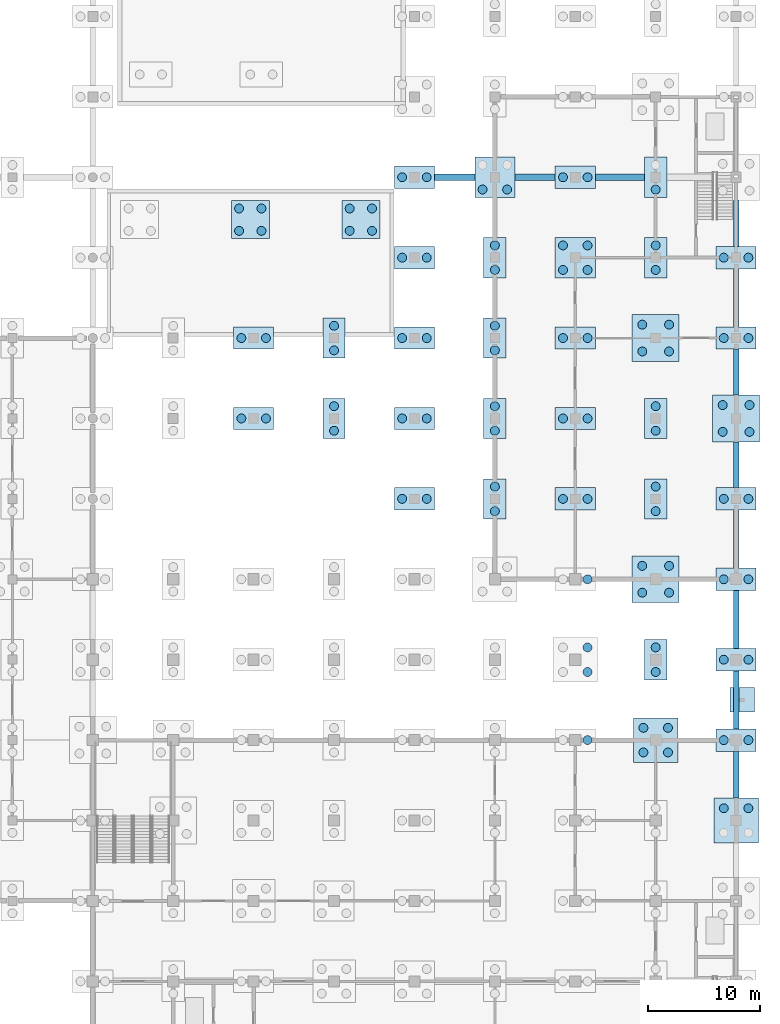
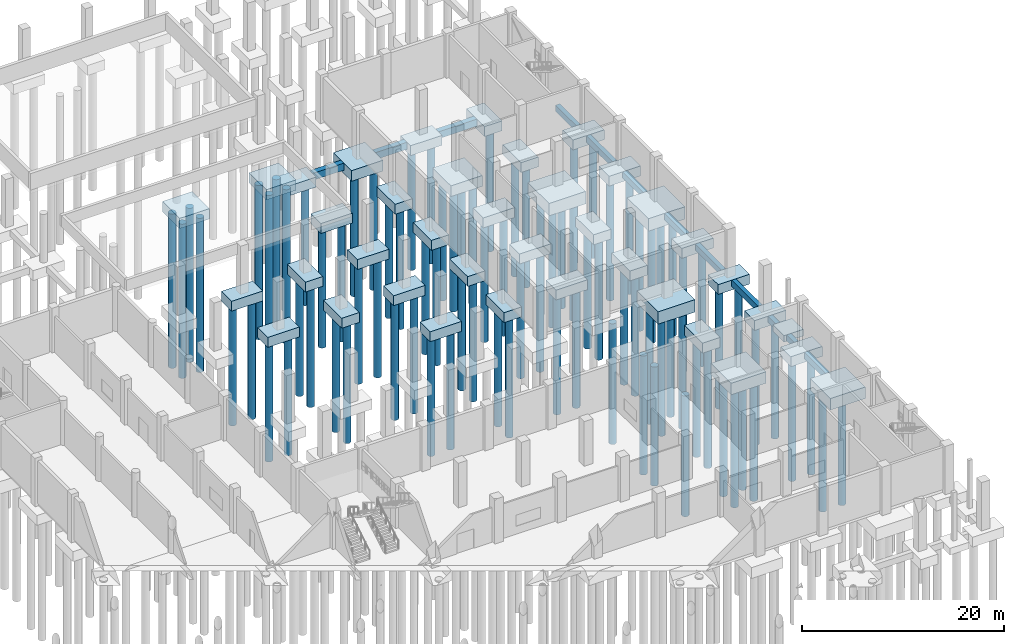
# One storey, part 8 of 35: 91 piles, 49 footings.
"""IFC4 building model written with IfcOpenShell, lengths in metres."""

from ifc_helpers import new_model, si_unit, direction, frame, origin, origin_2d, place, context, subcontext, project, spatial, polyline, rectangle, circle, outline, extrude, material, material_profile, profile_set, type_object, element, save


model = new_model("IFC4")

# Units and contexts
model_context = context("Model", 3, precision=1e-05, world=origin(), true_north=direction((0.0, 1.0)))
body_context = subcontext(model_context, "Body", "Model", "MODEL_VIEW")
ifc_project = project(units=[si_unit("LENGTHUNIT", "METRE"), si_unit("AREAUNIT", "SQUARE_METRE"), si_unit("VOLUMEUNIT", "CUBIC_METRE"), si_unit("PLANEANGLEUNIT", "RADIAN"), si_unit("MASSUNIT", "GRAM", prefix="KILO")], contexts=[model_context])

# Site, building, storey
site_placement = place(None, origin())
site = spatial("IfcSite", under=ifc_project, at=site_placement, CompositionType="ELEMENT")
building_placement = place(site_placement, origin())
building = spatial("IfcBuilding", under=site, at=building_placement, Name="Vesperath Aquatics Centre", CompositionType="ELEMENT")
storey_placement = place(building_placement, frame((0.0, 0.0, -5.39990234375)))
storey = spatial("IfcBuildingStorey", under=building, at=storey_placement, Name="B1", CompositionType="ELEMENT", Elevation=-5.39990234375)

# Footings
ifc_material_1 = material(Name="Concrete C40", Category="concrete")
footing_type_1 = type_object("IfcFootingType", Name="FT-GB02", PredefinedType="FOOTING_BEAM", material=ifc_material_1)
footing_1_placement = place(storey_placement, frame((0.0, 0.0, -1.2001953125)))
element("IfcFooting", 1, at=footing_1_placement, inside=storey, type_object=footing_type_1, Name="Foundation Ground Beam GB02 25 E-F", PredefinedType="FOOTING_BEAM", context=body_context, shape_type="SweptSolid", body=[
    extrude(outline(polyline([(172.550048828125, 30.800048828125), (173.050048828125, 30.800048828125), (173.050048828125, 35.0), (172.550048828125, 35.0), (172.550048828125, 30.800048828125)])), origin(), (0.0, 0.0, 1.0), 0.75),
])
footing_2_placement = place(storey_placement, frame((0.0, 0.0, -1.2001953125)))
element("IfcFooting", 2, at=footing_2_placement, inside=storey, type_object=footing_type_1, Name="Foundation Ground Beam GB02 25 F-G", PredefinedType="FOOTING_BEAM", context=body_context, shape_type="SweptSolid", body=[
    extrude(outline(polyline([(172.550048828125, 37.0), (173.050048828125, 37.0), (173.050048828125, 42.199951171875), (172.550048828125, 42.199951171875), (172.550048828125, 37.0)])), origin(), (0.0, 0.0, 1.0), 0.75),
])
footing_3_placement = place(storey_placement, frame((0.0, 0.0, -1.2001953125)))
element("IfcFooting", 3, at=footing_3_placement, inside=storey, type_object=footing_type_1, Name="Foundation Ground Beam GB02 25 G-H", PredefinedType="FOOTING_BEAM", context=body_context, shape_type="SweptSolid", body=[
    extrude(outline(polyline([(172.550048828125, 44.199951171875), (173.050048828125, 44.199951171875), (173.050048828125, 49.39990234375), (172.550048828125, 49.39990234375), (172.550048828125, 44.199951171875)])), origin(), (0.0, 0.0, 1.0), 0.75),
])
footing_4_placement = place(storey_placement, frame((0.0, 0.0, -1.2001953125)))
element("IfcFooting", 4, at=footing_4_placement, inside=storey, type_object=footing_type_1, Name="Foundation Ground Beam GB02 25 H-J", PredefinedType="FOOTING_BEAM", context=body_context, shape_type="SweptSolid", body=[
    extrude(outline(polyline([(172.550048828125, 51.39990234375), (173.050048828125, 51.39990234375), (173.050048828125, 56.60009765625), (172.550048828125, 56.60009765625), (172.550048828125, 51.39990234375)])), origin(), (0.0, 0.0, 1.0), 0.75),
])
footing_5_placement = place(storey_placement, frame((0.0, 0.0, -1.2001953125)))
element("IfcFooting", 5, at=footing_5_placement, inside=storey, type_object=footing_type_1, Name="Foundation Ground Beam GB02 25 J-K", PredefinedType="FOOTING_BEAM", context=body_context, shape_type="SweptSolid", body=[
    extrude(outline(polyline([(172.550048828125, 58.60009765625), (173.050048828125, 58.60009765625), (173.050048828125, 62.699951171875), (172.550048828125, 62.699951171875), (172.550048828125, 58.60009765625)])), origin(), (0.0, 0.0, 1.0), 0.75),
])
footing_6_placement = place(storey_placement, frame((0.0, 0.0, -1.2001953125)))
element("IfcFooting", 6, at=footing_6_placement, inside=storey, type_object=footing_type_1, Name="Foundation Ground Beam GB02 25 K-L", PredefinedType="FOOTING_BEAM", context=body_context, shape_type="SweptSolid", body=[
    extrude(outline(polyline([(172.550048828125, 66.89990234375), (173.050048828125, 66.89990234375), (173.050048828125, 71.0), (172.550048828125, 71.0), (172.550048828125, 66.89990234375)])), origin(), (0.0, 0.0, 1.0), 0.75),
])
footing_7_placement = place(storey_placement, frame((0.0, 0.0, -1.2001953125)))
element("IfcFooting", 7, at=footing_7_placement, inside=storey, type_object=footing_type_1, Name="Foundation Ground Beam GB02 25 L-M", PredefinedType="FOOTING_BEAM", context=body_context, shape_type="SweptSolid", body=[
    extrude(outline(polyline([(172.550048828125, 73.0), (173.050048828125, 73.0), (173.050048828125, 78.199951171875), (172.550048828125, 78.199951171875), (172.550048828125, 73.0)])), origin(), (0.0, 0.0, 1.0), 0.75),
])
footing_8_placement = place(storey_placement, frame((0.0, 0.0, -1.2001953125)))
element("IfcFooting", 8, at=footing_8_placement, inside=storey, type_object=footing_type_1, Name="Foundation Ground Beam GB02 25 M-N", PredefinedType="FOOTING_BEAM", context=body_context, shape_type="SweptSolid", body=[
    extrude(outline(polyline([(172.550048828125, 80.199951171875), (173.050048828125, 80.199951171875), (173.050048828125, 84.300048828125), (172.550048828125, 84.300048828125), (172.550048828125, 80.199951171875)])), origin(), (0.0, 0.0, 1.0), 0.75),
])
footing_type_2 = type_object("IfcFootingType", Name="FT-GB03", PredefinedType="FOOTING_BEAM", material=ifc_material_1)
footing_9_placement = place(storey_placement, frame((0.0, 0.0, -1.300048828125)))
element("IfcFooting", 9, at=footing_9_placement, inside=storey, type_object=footing_type_2, Name="Foundation Ground Beam GB03 N 21-22", PredefinedType="FOOTING_BEAM", context=body_context, shape_type="SweptSolid", body=[
    extrude(outline(polyline([(145.800048828125, 86.10009765625), (149.39990234375, 86.10009765625), (149.39990234375, 86.699951171875), (145.800048828125, 86.699951171875), (145.800048828125, 86.10009765625)])), origin(), (0.0, 0.0, 1.0), 0.849853515625),
])
footing_10_placement = place(storey_placement, frame((0.0, 0.0, -1.300048828125)))
element("IfcFooting", 10, at=footing_10_placement, inside=storey, type_object=footing_type_2, Name="Foundation Ground Beam GB03 N 22-23", PredefinedType="FOOTING_BEAM", context=body_context, shape_type="SweptSolid", body=[
    extrude(outline(polyline([(153.0, 86.10009765625), (156.60009765625, 86.10009765625), (156.60009765625, 86.699951171875), (153.0, 86.699951171875), (153.0, 86.10009765625)])), origin(), (0.0, 0.0, 1.0), 0.849853515625),
])
footing_11_placement = place(storey_placement, frame((0.0, 0.0, -1.300048828125)))
element("IfcFooting", 11, at=footing_11_placement, inside=storey, type_object=footing_type_2, Name="Foundation Ground Beam GB03 N 23-24", PredefinedType="FOOTING_BEAM", context=body_context, shape_type="SweptSolid", body=[
    extrude(outline(polyline([(160.199951171875, 86.10009765625), (164.60009765625, 86.10009765625), (164.60009765625, 86.699951171875), (160.199951171875, 86.699951171875), (160.199951171875, 86.10009765625)])), origin(), (0.0, 0.0, 1.0), 0.849853515625),
])
footing_type_3 = type_object("IfcFootingType", Name="FT-PC01", PredefinedType="PILE_CAP", material=ifc_material_1)
for number, where, z_axis, x_axis, name in (
    (12, (129.60009765625, 64.800048828125, -1.64990234375), (0.0, 0.0, 1.0), (1.0, 0.0, 0.0), "Pile Cap PC01 at 19/K"),
    (13, (129.60009765625, 72.0, -1.64990234375), (0.0, 0.0, 1.0), (1.0, 0.0, 0.0), "Pile Cap PC01 at 19/L"),
    (14, (144.0, 57.60009765625, -1.64990234375), (0.0, 0.0, 1.0), (1.0, 0.0, 0.0), "Pile Cap PC01 at 21/J"),
    (15, (144.0, 64.800048828125, -1.64990234375), (0.0, 0.0, 1.0), (1.0, 0.0, 0.0), "Pile Cap PC01 at 21/K"),
    (16, (144.0, 72.0, -1.64990234375), (0.0, 0.0, 1.0), (1.0, 0.0, 0.0), "Pile Cap PC01 at 21/L"),
    (17, (144.0, 79.199951171875, -1.64990234375), (0.0, 0.0, 1.0), (1.0, 0.0, 0.0), "Pile Cap PC01 at 21/M"),
    (18, (144.0, 86.39990234375, -1.64990234375), (0.0, 0.0, 1.0), (1.0, 0.0, 0.0), "Pile Cap PC01 at 21/N"),
    (19, (158.39990234375, 57.60009765625, -1.64990234375), (0.0, 0.0, 1.0), (1.0, 0.0, 0.0), "Pile Cap PC01 at 23/J"),
    (20, (158.39990234375, 64.800048828125, -1.64990234375), (0.0, 0.0, 1.0), (1.0, 0.0, 0.0), "Pile Cap PC01 at 23/K"),
    (21, (158.39990234375, 72.0, -1.64990234375), (0.0, 0.0, 1.0), (1.0, 0.0, 0.0), "Pile Cap PC01 at 23/L"),
    (22, (158.39990234375, 86.39990234375, -1.64990234375), (0.0, 0.0, 1.0), (1.0, 0.0, 0.0), "Pile Cap PC01 at 23/N"),
    (23, (172.800048828125, 36.0, -1.64990234375), (0.0, 0.0, 1.0), (1.0, 0.0, 0.0), "Pile Cap PC01 at 25/F"),
    (24, (172.800048828125, 43.199951171875, -1.64990234375), (0.0, 0.0, 1.0), (1.0, 0.0, 0.0), "Pile Cap PC01 at 25/G"),
    (25, (172.800048828125, 50.39990234375, -1.64990234375), (0.0, 0.0, 1.0), (1.0, 0.0, 0.0), "Pile Cap PC01 at 25/H"),
    (26, (172.800048828125, 57.60009765625, -1.64990234375), (0.0, 0.0, 1.0), (1.0, 0.0, 0.0), "Pile Cap PC01 at 25/J"),
    (27, (172.800048828125, 72.0, -1.64990234375), (0.0, 0.0, 1.0), (1.0, 0.0, 0.0), "Pile Cap PC01 at 25/L"),
    (28, (172.800048828125, 79.199951171875, -1.64990234375), (0.0, 0.0, 1.0), (1.0, 0.0, 0.0), "Pile Cap PC01 at 25/M"),
):
    element("IfcFooting", number, at=place(storey_placement, frame(where, z_axis=z_axis, x_axis=x_axis)), inside=storey, type_object=footing_type_3, Name=name, PredefinedType="PILE_CAP", context=body_context, shape_type="SweptSolid", body=[
        extrude(rectangle(XDim=3.60009765625, YDim=2.0, at=origin_2d()), origin(), (0.0, 0.0, 1.0), 1.199951171875),
    ])
footing_type_4 = type_object("IfcFootingType", Name="FT-PC02", PredefinedType="PILE_CAP", material=ifc_material_1)
for number, where, z_axis, x_axis, name in (
    (29, (136.800048828125, 64.800048828125, -1.64990234375), (0.0, 0.0, 1.0), (1.0, 0.0, 0.0), "Pile Cap PC02 at 20/K"),
    (30, (136.800048828125, 72.0, -1.64990234375), (0.0, 0.0, 1.0), (1.0, 0.0, 0.0), "Pile Cap PC02 at 20/L"),
    (31, (151.199951171875, 57.60009765625, -1.64990234375), (0.0, 0.0, 1.0), (1.0, 0.0, 0.0), "Pile Cap PC02 at 22/J"),
    (32, (151.199951171875, 64.800048828125, -1.64990234375), (0.0, 0.0, 1.0), (1.0, 0.0, 0.0), "Pile Cap PC02 at 22/K"),
    (33, (151.199951171875, 72.0, -1.64990234375), (0.0, 0.0, 1.0), (1.0, 0.0, 0.0), "Pile Cap PC02 at 22/L"),
    (34, (151.199951171875, 79.199951171875, -1.64990234375), (0.0, 0.0, 1.0), (1.0, 0.0, 0.0), "Pile Cap PC02 at 22/M"),
    (35, (165.60009765625, 43.199951171875, -1.64990234375), (0.0, 0.0, 1.0), (1.0, 0.0, 0.0), "Pile Cap PC02 at 24/G"),
    (36, (165.60009765625, 57.60009765625, -1.64990234375), (0.0, 0.0, 1.0), (1.0, 0.0, 0.0), "Pile Cap PC02 at 24/J"),
    (37, (165.60009765625, 64.800048828125, -1.64990234375), (0.0, 0.0, 1.0), (1.0, 0.0, 0.0), "Pile Cap PC02 at 24/K"),
    (38, (165.60009765625, 79.199951171875, -1.64990234375), (0.0, 0.0, 1.0), (1.0, 0.0, 0.0), "Pile Cap PC02 at 24/M"),
    (39, (165.60009765625, 86.39990234375, -1.64990234375), (0.0, 0.0, 1.0), (1.0, 0.0, 0.0), "Pile Cap PC02 at 24/N"),
):
    element("IfcFooting", number, at=place(storey_placement, frame(where, z_axis=z_axis, x_axis=x_axis)), inside=storey, type_object=footing_type_4, Name=name, PredefinedType="PILE_CAP", context=body_context, shape_type="SweptSolid", body=[
        extrude(rectangle(XDim=2.0, YDim=3.60009765625, at=origin_2d()), origin(), (0.0, 0.0, 1.0), 1.199951171875),
    ])
footing_type_5 = type_object("IfcFootingType", Name="FT-PC03", PredefinedType="PILE_CAP", material=ifc_material_1)
for number, where, z_axis, x_axis, name in (
    (40, (151.199951171875, 86.39990234375, -1.75), (0.0, 0.0, 1.0), (1.0, 0.0, 0.0), "Pile Cap PC03 at 22/N"),
    (41, (158.39990234375, 79.199951171875, -1.75), (0.0, 0.0, 1.0), (1.0, 0.0, 0.0), "Pile Cap PC03 at 23/M"),
):
    element("IfcFooting", number, at=place(storey_placement, frame(where, z_axis=z_axis, x_axis=x_axis)), inside=storey, type_object=footing_type_5, Name=name, PredefinedType="PILE_CAP", context=body_context, shape_type="SweptSolid", body=[
        extrude(rectangle(XDim=3.60009765625, YDim=3.60009765625, at=origin_2d()), origin(), (0.0, 0.0, 1.0), 1.300048828125),
    ])
footing_type_6 = type_object("IfcFootingType", Name="FT-PC05", PredefinedType="PILE_CAP", material=ifc_material_1)
for number, where, z_axis, x_axis, name in (
    (42, (165.60009765625, 36.0, -1.85009765625), (0.0, 0.0, 1.0), (1.0, 0.0, 0.0), "Pile Cap PC05 at 24/F"),
    (43, (172.800048828125, 28.800048828125, -1.85009765625), (0.0, 0.0, 1.0), (1.0, 0.0, 0.0), "Pile Cap PC05 at 25/E"),
):
    element("IfcFooting", number, at=place(storey_placement, frame(where, z_axis=z_axis, x_axis=x_axis)), inside=storey, type_object=footing_type_6, Name=name, PredefinedType="PILE_CAP", context=body_context, shape_type="SweptSolid", body=[
        extrude(rectangle(XDim=4.0, YDim=4.0, at=origin_2d()), origin(), (0.0, 0.0, 1.0), 1.39990234375),
    ])
footing_type_7 = type_object("IfcFootingType", Name="FT-PC06", PredefinedType="PILE_CAP", material=ifc_material_1)
for number, where, z_axis, x_axis, name in (
    (44, (165.60009765625, 50.39990234375, -1.9501953125), (0.0, 0.0, 1.0), (1.0, 0.0, 0.0), "Pile Cap PC06 at 24/H"),
    (45, (165.60009765625, 72.0, -1.9501953125), (0.0, 0.0, 1.0), (1.0, 0.0, 0.0), "Pile Cap PC06 at 24/L"),
    (46, (172.800048828125, 64.800048828125, -1.9501953125), (0.0, 0.0, 1.0), (1.0, 0.0, 0.0), "Pile Cap PC06 at 25/K"),
):
    element("IfcFooting", number, at=place(storey_placement, frame(where, z_axis=z_axis, x_axis=x_axis)), inside=storey, type_object=footing_type_7, Name=name, PredefinedType="PILE_CAP", context=body_context, shape_type="SweptSolid", body=[
        extrude(rectangle(XDim=4.199951171875, YDim=4.199951171875, at=origin_2d()), origin(), (0.0, 0.0, 1.0), 1.5),
    ])
footing_type_8 = type_object("IfcFootingType", Name="FT-PC12", PredefinedType="PILE_CAP", material=ifc_material_1)
for number, where, z_axis, x_axis, name in (
    (47, (129.300048828125, 82.60009765625, 2.39990234375), (0.0, 0.0, 1.0), (1.0, 0.0, 0.0), "Leisure and Teaching Pool Sub-Basin Pile Cap PC12-2"),
    (48, (139.199951171875, 82.60009765625, 2.39990234375), (0.0, 0.0, 1.0), (1.0, 0.0, 0.0), "Leisure and Teaching Pool Sub-Basin Pile Cap PC12-3"),
):
    element("IfcFooting", number, at=place(storey_placement, frame(where, z_axis=z_axis, x_axis=x_axis)), inside=storey, type_object=footing_type_8, Name=name, PredefinedType="PILE_CAP", context=body_context, shape_type="SweptSolid", body=[
        extrude(rectangle(XDim=3.39990234375, YDim=3.39990234375, at=origin_2d()), origin(), (0.0, 0.0, 1.0), 1.25),
    ])
footing_type_9 = type_object("IfcFootingType", Name="FT-PF01", PredefinedType="PAD_FOOTING", material=ifc_material_1)
footing_12_placement = place(storey_placement, frame((173.35009765625, 39.60009765625, -1.25), z_axis=(0.0, 0.0, 1.0), x_axis=(1.0, 0.0, 0.0)))
element("IfcFooting", 49, at=footing_12_placement, inside=storey, type_object=footing_type_9, Name="Plinth Pilaster Pad Footing PF01-06", PredefinedType="PAD_FOOTING", context=body_context, shape_type="SweptSolid", body=[
    extrude(rectangle(XDim=2.199951171875, YDim=2.199951171875, at=origin_2d()), origin(), (0.0, 0.0, 1.0), 0.800048828125),
])

# Piles
ifc_material_2 = material(Name="Concrete C35", Category="concrete")
ifc_material_profile = material_profile(ifc_material_2, circle(Radius=0.39990234375, at=origin_2d()), Name="PILE D800")
ifc_profile_set = profile_set([ifc_material_profile], Name="Concrete C35")
pile_type = type_object("IfcPileType", Name="PL-BP01", PredefinedType="BORED", material=ifc_profile_set)
for number, where, z_axis, x_axis, name in (
    (50, (128.5, 64.800048828125, -1.5), (0.0, 0.0, -1.0), (1.0, 0.0, 0.0), "Bored Pile BP01 CAP_18_09-1"),
    (51, (130.699951171875, 64.800048828125, -1.5), (0.0, 0.0, -1.0), (1.0, 0.0, 0.0), "Bored Pile BP01 CAP_18_09-2"),
    (52, (128.5, 72.0, -1.5), (0.0, 0.0, -1.0), (1.0, 0.0, 0.0), "Bored Pile BP01 CAP_18_10-1"),
    (53, (130.699951171875, 72.0, -1.5), (0.0, 0.0, -1.0), (1.0, 0.0, 0.0), "Bored Pile BP01 CAP_18_10-2"),
    (54, (136.800048828125, 63.699951171875, -1.5), (0.0, 0.0, -1.0), (1.0, 0.0, 0.0), "Bored Pile BP01 CAP_19_09-1"),
    (55, (136.800048828125, 65.89990234375, -1.5), (0.0, 0.0, -1.0), (1.0, 0.0, 0.0), "Bored Pile BP01 CAP_19_09-2"),
    (56, (136.800048828125, 70.89990234375, -1.5), (0.0, 0.0, -1.0), (1.0, 0.0, 0.0), "Bored Pile BP01 CAP_19_10-1"),
    (57, (136.800048828125, 73.10009765625, -1.5), (0.0, 0.0, -1.0), (1.0, 0.0, 0.0), "Bored Pile BP01 CAP_19_10-2"),
    (58, (142.89990234375, 57.60009765625, -1.5), (0.0, 0.0, -1.0), (1.0, 0.0, 0.0), "Bored Pile BP01 CAP_20_08-1"),
    (59, (145.10009765625, 57.60009765625, -1.5), (0.0, 0.0, -1.0), (1.0, 0.0, 0.0), "Bored Pile BP01 CAP_20_08-2"),
    (60, (142.89990234375, 64.800048828125, -1.5), (0.0, 0.0, -1.0), (1.0, 0.0, 0.0), "Bored Pile BP01 CAP_20_09-1"),
    (61, (145.10009765625, 64.800048828125, -1.5), (0.0, 0.0, -1.0), (1.0, 0.0, 0.0), "Bored Pile BP01 CAP_20_09-2"),
    (62, (142.89990234375, 72.0, -1.5), (0.0, 0.0, -1.0), (1.0, 0.0, 0.0), "Bored Pile BP01 CAP_20_10-1"),
    (63, (145.10009765625, 72.0, -1.5), (0.0, 0.0, -1.0), (1.0, 0.0, 0.0), "Bored Pile BP01 CAP_20_10-2"),
    (64, (142.89990234375, 79.199951171875, -1.5), (0.0, 0.0, -1.0), (1.0, 0.0, 0.0), "Bored Pile BP01 CAP_20_11-1"),
    (65, (145.10009765625, 79.199951171875, -1.5), (0.0, 0.0, -1.0), (1.0, 0.0, 0.0), "Bored Pile BP01 CAP_20_11-2"),
    (66, (142.89990234375, 86.39990234375, -1.5), (0.0, 0.0, -1.0), (1.0, 0.0, 0.0), "Bored Pile BP01 CAP_20_12-1"),
    (67, (145.10009765625, 86.39990234375, -1.5), (0.0, 0.0, -1.0), (1.0, 0.0, 0.0), "Bored Pile BP01 CAP_20_12-2"),
    (68, (151.199951171875, 56.5, -1.5), (0.0, 0.0, -1.0), (1.0, 0.0, 0.0), "Bored Pile BP01 CAP_21_08-1"),
    (69, (151.199951171875, 58.699951171875, -1.5), (0.0, 0.0, -1.0), (1.0, 0.0, 0.0), "Bored Pile BP01 CAP_21_08-2"),
    (70, (151.199951171875, 63.699951171875, -1.5), (0.0, 0.0, -1.0), (1.0, 0.0, 0.0), "Bored Pile BP01 CAP_21_09-1"),
    (71, (151.199951171875, 65.89990234375, -1.5), (0.0, 0.0, -1.0), (1.0, 0.0, 0.0), "Bored Pile BP01 CAP_21_09-2"),
    (72, (151.199951171875, 70.89990234375, -1.5), (0.0, 0.0, -1.0), (1.0, 0.0, 0.0), "Bored Pile BP01 CAP_21_10-1"),
    (73, (151.199951171875, 73.10009765625, -1.5), (0.0, 0.0, -1.0), (1.0, 0.0, 0.0), "Bored Pile BP01 CAP_21_10-2"),
    (74, (151.199951171875, 78.10009765625, -1.5), (0.0, 0.0, -1.0), (1.0, 0.0, 0.0), "Bored Pile BP01 CAP_21_11-1"),
    (75, (151.199951171875, 80.300048828125, -1.5), (0.0, 0.0, -1.0), (1.0, 0.0, 0.0), "Bored Pile BP01 CAP_21_11-2"),
):
    element("IfcPile", number, at=place(storey_placement, frame(where, z_axis=z_axis, x_axis=x_axis)), inside=storey, type_object=pile_type, Name=name, PredefinedType="BORED", context=body_context, shape_type="SweptSolid", body=[
        extrude(circle(Radius=0.39990234375, at=origin_2d()), origin(), (0.0, 0.0, 1.0), 14.60009765625),
    ])
for number, where, z_axis, x_axis, name in (
    (76, (150.10009765625, 85.300048828125, -1.60009765625), (0.0, 0.0, -1.0), (1.0, 0.0, 0.0), "Bored Pile BP01 CAP_21_12-1"),
    (77, (152.300048828125, 85.300048828125, -1.60009765625), (0.0, 0.0, -1.0), (1.0, 0.0, 0.0), "Bored Pile BP01 CAP_21_12-2"),
):
    element("IfcPile", number, at=place(storey_placement, frame(where, z_axis=z_axis, x_axis=x_axis)), inside=storey, type_object=pile_type, Name=name, PredefinedType="BORED", context=body_context, shape_type="SweptSolid", body=[
        extrude(circle(Radius=0.39990234375, at=origin_2d()), origin(), (0.0, 0.0, 1.0), 14.5),
    ])
pile_placement = place(storey_placement, frame((159.5, 36.0, -1.5), z_axis=(0.0, 0.0, -1.0), x_axis=(1.0, 0.0, 0.0)))
element("IfcPile", 78, at=pile_placement, inside=storey, type_object=pile_type, Name="Bored Pile BP01 CAP_22_05-2", PredefinedType="BORED", context=body_context, shape_type="SweptSolid", body=[
    extrude(circle(Radius=0.39990234375, at=origin_2d()), origin(), (0.0, 0.0, 1.0), 14.60009765625),
])
for number, where, z_axis, x_axis, name in (
    (79, (159.5, 42.10009765625, -1.7001953125), (0.0, 0.0, -1.0), (1.0, 0.0, 0.0), "Bored Pile BP01 CAP_22_06-2"),
    (80, (159.5, 44.300048828125, -1.7001953125), (0.0, 0.0, -1.0), (1.0, 0.0, 0.0), "Bored Pile BP01 CAP_22_06-4"),
):
    element("IfcPile", number, at=place(storey_placement, frame(where, z_axis=z_axis, x_axis=x_axis)), inside=storey, type_object=pile_type, Name=name, PredefinedType="BORED", context=body_context, shape_type="SweptSolid", body=[
        extrude(circle(Radius=0.39990234375, at=origin_2d()), origin(), (0.0, 0.0, 1.0), 14.39990234375),
    ])
for number, where, z_axis, x_axis, name in (
    (81, (159.5, 50.39990234375, -1.5), (0.0, 0.0, -1.0), (1.0, 0.0, 0.0), "Bored Pile BP01 CAP_22_07-2"),
    (82, (157.300048828125, 57.60009765625, -1.5), (0.0, 0.0, -1.0), (1.0, 0.0, 0.0), "Bored Pile BP01 CAP_22_08-1"),
    (83, (159.5, 57.60009765625, -1.5), (0.0, 0.0, -1.0), (1.0, 0.0, 0.0), "Bored Pile BP01 CAP_22_08-2"),
    (84, (157.300048828125, 64.800048828125, -1.5), (0.0, 0.0, -1.0), (1.0, 0.0, 0.0), "Bored Pile BP01 CAP_22_09-1"),
    (85, (159.5, 64.800048828125, -1.5), (0.0, 0.0, -1.0), (1.0, 0.0, 0.0), "Bored Pile BP01 CAP_22_09-2"),
    (86, (157.300048828125, 72.0, -1.5), (0.0, 0.0, -1.0), (1.0, 0.0, 0.0), "Bored Pile BP01 CAP_22_10-1"),
    (87, (159.5, 72.0, -1.5), (0.0, 0.0, -1.0), (1.0, 0.0, 0.0), "Bored Pile BP01 CAP_22_10-2"),
):
    element("IfcPile", number, at=place(storey_placement, frame(where, z_axis=z_axis, x_axis=x_axis)), inside=storey, type_object=pile_type, Name=name, PredefinedType="BORED", context=body_context, shape_type="SweptSolid", body=[
        extrude(circle(Radius=0.39990234375, at=origin_2d()), origin(), (0.0, 0.0, 1.0), 14.60009765625),
    ])
for number, where, z_axis, x_axis, name in (
    (88, (157.300048828125, 78.10009765625, -1.60009765625), (0.0, 0.0, -1.0), (1.0, 0.0, 0.0), "Bored Pile BP01 CAP_22_11-1"),
    (89, (159.5, 78.10009765625, -1.60009765625), (0.0, 0.0, -1.0), (1.0, 0.0, 0.0), "Bored Pile BP01 CAP_22_11-2"),
    (90, (157.300048828125, 80.300048828125, -1.60009765625), (0.0, 0.0, -1.0), (1.0, 0.0, 0.0), "Bored Pile BP01 CAP_22_11-3"),
    (91, (159.5, 80.300048828125, -1.60009765625), (0.0, 0.0, -1.0), (1.0, 0.0, 0.0), "Bored Pile BP01 CAP_22_11-4"),
):
    element("IfcPile", number, at=place(storey_placement, frame(where, z_axis=z_axis, x_axis=x_axis)), inside=storey, type_object=pile_type, Name=name, PredefinedType="BORED", context=body_context, shape_type="SweptSolid", body=[
        extrude(circle(Radius=0.39990234375, at=origin_2d()), origin(), (0.0, 0.0, 1.0), 14.5),
    ])
for number, where, z_axis, x_axis, name in (
    (92, (157.300048828125, 86.39990234375, -1.5), (0.0, 0.0, -1.0), (1.0, 0.0, 0.0), "Bored Pile BP01 CAP_22_12-1"),
    (93, (159.5, 86.39990234375, -1.5), (0.0, 0.0, -1.0), (1.0, 0.0, 0.0), "Bored Pile BP01 CAP_22_12-2"),
):
    element("IfcPile", number, at=place(storey_placement, frame(where, z_axis=z_axis, x_axis=x_axis)), inside=storey, type_object=pile_type, Name=name, PredefinedType="BORED", context=body_context, shape_type="SweptSolid", body=[
        extrude(circle(Radius=0.39990234375, at=origin_2d()), origin(), (0.0, 0.0, 1.0), 14.60009765625),
    ])
for number, where, z_axis, x_axis, name in (
    (94, (164.5, 34.89990234375, -1.7001953125), (0.0, 0.0, -1.0), (1.0, 0.0, 0.0), "Bored Pile BP01 CAP_23_05-1"),
    (95, (166.699951171875, 34.89990234375, -1.7001953125), (0.0, 0.0, -1.0), (1.0, 0.0, 0.0), "Bored Pile BP01 CAP_23_05-2"),
    (96, (164.5, 37.10009765625, -1.7001953125), (0.0, 0.0, -1.0), (1.0, 0.0, 0.0), "Bored Pile BP01 CAP_23_05-3"),
    (97, (166.699951171875, 37.10009765625, -1.7001953125), (0.0, 0.0, -1.0), (1.0, 0.0, 0.0), "Bored Pile BP01 CAP_23_05-4"),
):
    element("IfcPile", number, at=place(storey_placement, frame(where, z_axis=z_axis, x_axis=x_axis)), inside=storey, type_object=pile_type, Name=name, PredefinedType="BORED", context=body_context, shape_type="SweptSolid", body=[
        extrude(circle(Radius=0.39990234375, at=origin_2d()), origin(), (0.0, 0.0, 1.0), 14.39990234375),
    ])
for number, where, z_axis, x_axis, name in (
    (98, (165.60009765625, 42.10009765625, -1.5), (0.0, 0.0, -1.0), (1.0, 0.0, 0.0), "Bored Pile BP01 CAP_23_06-1"),
    (99, (165.60009765625, 44.300048828125, -1.5), (0.0, 0.0, -1.0), (1.0, 0.0, 0.0), "Bored Pile BP01 CAP_23_06-2"),
):
    element("IfcPile", number, at=place(storey_placement, frame(where, z_axis=z_axis, x_axis=x_axis)), inside=storey, type_object=pile_type, Name=name, PredefinedType="BORED", context=body_context, shape_type="SweptSolid", body=[
        extrude(circle(Radius=0.39990234375, at=origin_2d()), origin(), (0.0, 0.0, 1.0), 14.60009765625),
    ])
for number, where, z_axis, x_axis, name in (
    (100, (164.39990234375, 49.199951171875, -1.800048828125), (0.0, 0.0, -1.0), (1.0, 0.0, 0.0), "Bored Pile BP01 CAP_23_07-1"),
    (101, (166.800048828125, 49.199951171875, -1.800048828125), (0.0, 0.0, -1.0), (1.0, 0.0, 0.0), "Bored Pile BP01 CAP_23_07-2"),
    (102, (164.39990234375, 51.60009765625, -1.800048828125), (0.0, 0.0, -1.0), (1.0, 0.0, 0.0), "Bored Pile BP01 CAP_23_07-3"),
    (103, (166.800048828125, 51.60009765625, -1.800048828125), (0.0, 0.0, -1.0), (1.0, 0.0, 0.0), "Bored Pile BP01 CAP_23_07-4"),
):
    element("IfcPile", number, at=place(storey_placement, frame(where, z_axis=z_axis, x_axis=x_axis)), inside=storey, type_object=pile_type, Name=name, PredefinedType="BORED", context=body_context, shape_type="SweptSolid", body=[
        extrude(circle(Radius=0.39990234375, at=origin_2d()), origin(), (0.0, 0.0, 1.0), 14.300048828125),
    ])
for number, where, z_axis, x_axis, name in (
    (104, (165.60009765625, 56.5, -1.5), (0.0, 0.0, -1.0), (1.0, 0.0, 0.0), "Bored Pile BP01 CAP_23_08-1"),
    (105, (165.60009765625, 58.699951171875, -1.5), (0.0, 0.0, -1.0), (1.0, 0.0, 0.0), "Bored Pile BP01 CAP_23_08-2"),
    (106, (165.60009765625, 63.699951171875, -1.5), (0.0, 0.0, -1.0), (1.0, 0.0, 0.0), "Bored Pile BP01 CAP_23_09-1"),
    (107, (165.60009765625, 65.89990234375, -1.5), (0.0, 0.0, -1.0), (1.0, 0.0, 0.0), "Bored Pile BP01 CAP_23_09-2"),
):
    element("IfcPile", number, at=place(storey_placement, frame(where, z_axis=z_axis, x_axis=x_axis)), inside=storey, type_object=pile_type, Name=name, PredefinedType="BORED", context=body_context, shape_type="SweptSolid", body=[
        extrude(circle(Radius=0.39990234375, at=origin_2d()), origin(), (0.0, 0.0, 1.0), 14.60009765625),
    ])
for number, where, z_axis, x_axis, name in (
    (108, (164.39990234375, 70.800048828125, -1.800048828125), (0.0, 0.0, -1.0), (1.0, 0.0, 0.0), "Bored Pile BP01 CAP_23_10-1"),
    (109, (166.800048828125, 70.800048828125, -1.800048828125), (0.0, 0.0, -1.0), (1.0, 0.0, 0.0), "Bored Pile BP01 CAP_23_10-2"),
    (110, (164.39990234375, 73.199951171875, -1.800048828125), (0.0, 0.0, -1.0), (1.0, 0.0, 0.0), "Bored Pile BP01 CAP_23_10-3"),
    (111, (166.800048828125, 73.199951171875, -1.800048828125), (0.0, 0.0, -1.0), (1.0, 0.0, 0.0), "Bored Pile BP01 CAP_23_10-4"),
):
    element("IfcPile", number, at=place(storey_placement, frame(where, z_axis=z_axis, x_axis=x_axis)), inside=storey, type_object=pile_type, Name=name, PredefinedType="BORED", context=body_context, shape_type="SweptSolid", body=[
        extrude(circle(Radius=0.39990234375, at=origin_2d()), origin(), (0.0, 0.0, 1.0), 14.300048828125),
    ])
for number, where, z_axis, x_axis, name in (
    (112, (165.60009765625, 78.10009765625, -1.5), (0.0, 0.0, -1.0), (1.0, 0.0, 0.0), "Bored Pile BP01 CAP_23_11-1"),
    (113, (165.60009765625, 80.300048828125, -1.5), (0.0, 0.0, -1.0), (1.0, 0.0, 0.0), "Bored Pile BP01 CAP_23_11-2"),
    (114, (165.60009765625, 85.300048828125, -1.5), (0.0, 0.0, -1.0), (1.0, 0.0, 0.0), "Bored Pile BP01 CAP_23_12-1"),
):
    element("IfcPile", number, at=place(storey_placement, frame(where, z_axis=z_axis, x_axis=x_axis)), inside=storey, type_object=pile_type, Name=name, PredefinedType="BORED", context=body_context, shape_type="SweptSolid", body=[
        extrude(circle(Radius=0.39990234375, at=origin_2d()), origin(), (0.0, 0.0, 1.0), 14.60009765625),
    ])
for number, where, z_axis, x_axis, name in (
    (115, (171.699951171875, 29.89990234375, -1.7001953125), (0.0, 0.0, -1.0), (1.0, 0.0, 0.0), "Bored Pile BP01 CAP_24_04-3"),
    (116, (173.89990234375, 29.89990234375, -1.7001953125), (0.0, 0.0, -1.0), (1.0, 0.0, 0.0), "Bored Pile BP01 CAP_24_04-4"),
):
    element("IfcPile", number, at=place(storey_placement, frame(where, z_axis=z_axis, x_axis=x_axis)), inside=storey, type_object=pile_type, Name=name, PredefinedType="BORED", context=body_context, shape_type="SweptSolid", body=[
        extrude(circle(Radius=0.39990234375, at=origin_2d()), origin(), (0.0, 0.0, 1.0), 14.39990234375),
    ])
for number, where, z_axis, x_axis, name in (
    (117, (171.699951171875, 36.0, -1.5), (0.0, 0.0, -1.0), (1.0, 0.0, 0.0), "Bored Pile BP01 CAP_24_05-1"),
    (118, (173.89990234375, 36.0, -1.5), (0.0, 0.0, -1.0), (1.0, 0.0, 0.0), "Bored Pile BP01 CAP_24_05-2"),
    (119, (171.699951171875, 43.199951171875, -1.5), (0.0, 0.0, -1.0), (1.0, 0.0, 0.0), "Bored Pile BP01 CAP_24_06-1"),
    (120, (173.89990234375, 43.199951171875, -1.5), (0.0, 0.0, -1.0), (1.0, 0.0, 0.0), "Bored Pile BP01 CAP_24_06-2"),
    (121, (171.699951171875, 50.39990234375, -1.5), (0.0, 0.0, -1.0), (1.0, 0.0, 0.0), "Bored Pile BP01 CAP_24_07-1"),
    (122, (173.89990234375, 50.39990234375, -1.5), (0.0, 0.0, -1.0), (1.0, 0.0, 0.0), "Bored Pile BP01 CAP_24_07-2"),
    (123, (171.699951171875, 57.60009765625, -1.5), (0.0, 0.0, -1.0), (1.0, 0.0, 0.0), "Bored Pile BP01 CAP_24_08-1"),
    (124, (173.89990234375, 57.60009765625, -1.5), (0.0, 0.0, -1.0), (1.0, 0.0, 0.0), "Bored Pile BP01 CAP_24_08-2"),
):
    element("IfcPile", number, at=place(storey_placement, frame(where, z_axis=z_axis, x_axis=x_axis)), inside=storey, type_object=pile_type, Name=name, PredefinedType="BORED", context=body_context, shape_type="SweptSolid", body=[
        extrude(circle(Radius=0.39990234375, at=origin_2d()), origin(), (0.0, 0.0, 1.0), 14.60009765625),
    ])
for number, where, z_axis, x_axis, name in (
    (125, (171.60009765625, 63.60009765625, -1.800048828125), (0.0, 0.0, -1.0), (1.0, 0.0, 0.0), "Bored Pile BP01 CAP_24_09-1"),
    (126, (174.0, 63.60009765625, -1.800048828125), (0.0, 0.0, -1.0), (1.0, 0.0, 0.0), "Bored Pile BP01 CAP_24_09-2"),
    (127, (171.60009765625, 66.0, -1.800048828125), (0.0, 0.0, -1.0), (1.0, 0.0, 0.0), "Bored Pile BP01 CAP_24_09-3"),
    (128, (174.0, 66.0, -1.800048828125), (0.0, 0.0, -1.0), (1.0, 0.0, 0.0), "Bored Pile BP01 CAP_24_09-4"),
):
    element("IfcPile", number, at=place(storey_placement, frame(where, z_axis=z_axis, x_axis=x_axis)), inside=storey, type_object=pile_type, Name=name, PredefinedType="BORED", context=body_context, shape_type="SweptSolid", body=[
        extrude(circle(Radius=0.39990234375, at=origin_2d()), origin(), (0.0, 0.0, 1.0), 14.300048828125),
    ])
for number, where, z_axis, x_axis, name in (
    (129, (171.699951171875, 72.0, -1.5), (0.0, 0.0, -1.0), (1.0, 0.0, 0.0), "Bored Pile BP01 CAP_24_10-1"),
    (130, (173.89990234375, 72.0, -1.5), (0.0, 0.0, -1.0), (1.0, 0.0, 0.0), "Bored Pile BP01 CAP_24_10-2"),
    (131, (171.699951171875, 79.199951171875, -1.5), (0.0, 0.0, -1.0), (1.0, 0.0, 0.0), "Bored Pile BP01 CAP_24_11-1"),
    (132, (173.89990234375, 79.199951171875, -1.5), (0.0, 0.0, -1.0), (1.0, 0.0, 0.0), "Bored Pile BP01 CAP_24_11-2"),
):
    element("IfcPile", number, at=place(storey_placement, frame(where, z_axis=z_axis, x_axis=x_axis)), inside=storey, type_object=pile_type, Name=name, PredefinedType="BORED", context=body_context, shape_type="SweptSolid", body=[
        extrude(circle(Radius=0.39990234375, at=origin_2d()), origin(), (0.0, 0.0, 1.0), 14.60009765625),
    ])
for number, where, z_axis, x_axis, name in (
    (133, (128.300048828125, 81.60009765625, 2.5498046875), (0.0, 0.0, -1.0), (1.0, 0.0, 0.0), "Bored Pile BP01 CAP_POOL_LEIS_02-1"),
    (134, (130.300048828125, 81.60009765625, 2.5498046875), (0.0, 0.0, -1.0), (1.0, 0.0, 0.0), "Bored Pile BP01 CAP_POOL_LEIS_02-2"),
    (135, (128.300048828125, 83.60009765625, 2.5498046875), (0.0, 0.0, -1.0), (1.0, 0.0, 0.0), "Bored Pile BP01 CAP_POOL_LEIS_02-3"),
    (136, (130.300048828125, 83.60009765625, 2.5498046875), (0.0, 0.0, -1.0), (1.0, 0.0, 0.0), "Bored Pile BP01 CAP_POOL_LEIS_02-4"),
    (137, (138.199951171875, 81.60009765625, 2.5498046875), (0.0, 0.0, -1.0), (1.0, 0.0, 0.0), "Bored Pile BP01 CAP_POOL_LEIS_03-1"),
    (138, (140.199951171875, 81.60009765625, 2.5498046875), (0.0, 0.0, -1.0), (1.0, 0.0, 0.0), "Bored Pile BP01 CAP_POOL_LEIS_03-2"),
    (139, (138.199951171875, 83.60009765625, 2.5498046875), (0.0, 0.0, -1.0), (1.0, 0.0, 0.0), "Bored Pile BP01 CAP_POOL_LEIS_03-3"),
    (140, (140.199951171875, 83.60009765625, 2.5498046875), (0.0, 0.0, -1.0), (1.0, 0.0, 0.0), "Bored Pile BP01 CAP_POOL_LEIS_03-4"),
):
    element("IfcPile", number, at=place(storey_placement, frame(where, z_axis=z_axis, x_axis=x_axis)), inside=storey, type_object=pile_type, Name=name, PredefinedType="BORED", context=body_context, shape_type="SweptSolid", body=[
        extrude(circle(Radius=0.39990234375, at=origin_2d()), origin(), (0.0, 0.0, 1.0), 18.64990234375),
    ])

save(model, "model.ifc")
